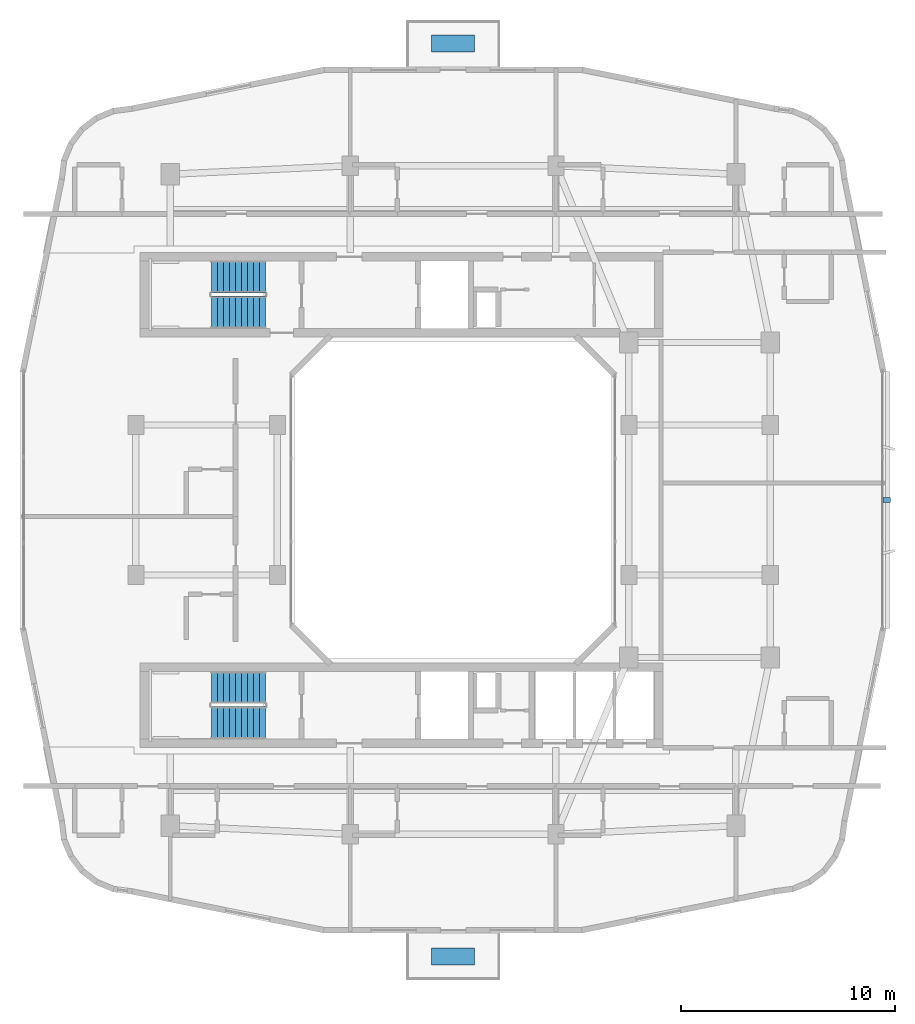
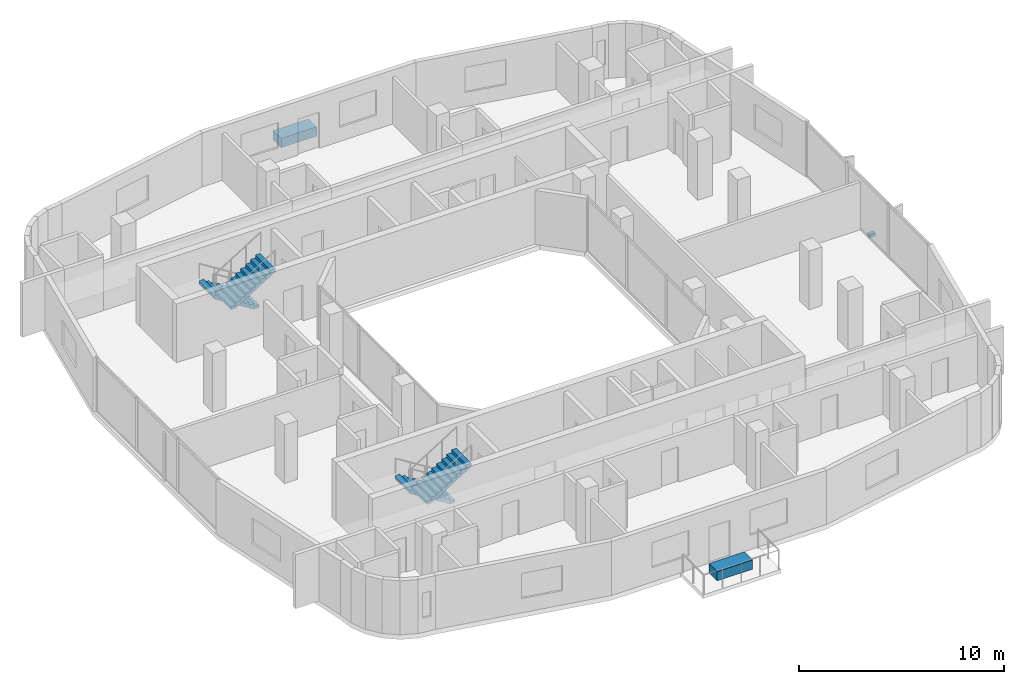
# One storey, part 9 of 13: 4 stair flights, 3 discrete accessories, 2 elements without a shape of their own.
"""IFC4 building model written with IfcOpenShell, lengths in metres."""

from ifc_helpers import new_model, si_unit, derived_unit, direction, frame, origin, origin_2d, place, context, subcontext, project, spatial, polyline, rectangle, outline, extrude, material, type_object, element, aggregate, save


model = new_model("IFC4")

# Units and contexts
model_context = context("Model", 3, precision=1e-05, world=origin(), true_north=direction((0.0, 1.0)))
body_context = subcontext(model_context, "Body", "Model", "MODEL_VIEW")
ifc_project = project(units=[si_unit("LENGTHUNIT", "METRE"), si_unit("AREAUNIT", "SQUARE_METRE"), si_unit("VOLUMEUNIT", "CUBIC_METRE"), si_unit("PLANEANGLEUNIT", "RADIAN"), si_unit("MASSUNIT", "GRAM", prefix="KILO"), derived_unit("THERMALTRANSMITTANCEUNIT", [(si_unit("POWERUNIT", "WATT"), 1), (si_unit("LENGTHUNIT", "METRE"), -2), (si_unit("THERMODYNAMICTEMPERATUREUNIT", "KELVIN"), -1)])], contexts=[model_context])

# Site, building, storey
site_placement = place(None, origin())
site = spatial("IfcSite", under=ifc_project, at=site_placement, CompositionType="ELEMENT")
building_placement = place(site_placement, origin())
building = spatial("IfcBuilding", under=site, at=building_placement, Name="Kivonza Crest Hotel", CompositionType="ELEMENT")
storey_placement = place(building_placement, frame((0.0, 0.0, 155.5)))
storey = spatial("IfcBuildingStorey", under=building, at=storey_placement, Name="L42", CompositionType="ELEMENT", Elevation=155.5)

# Stair, stair flights
ifc_material_1 = material(Name="Concrete C40/50", Category="concrete")
stair_type = type_object("IfcStairType", Name="ST-DL-20R", PredefinedType="HALF_TURN_STAIR", material=ifc_material_1)
stair_1_placement = place(storey_placement, origin())
stair_1 = element("IfcStair", 1, at=stair_1_placement, inside=storey, type_object=stair_type, Name="L42 Protected Exit Stair ST-T1-N", PredefinedType="HALF_TURN_STAIR")
stair_flight_type = type_object("IfcStairFlightType", Name="SFL-RC-10R", PredefinedType="STRAIGHT", material=ifc_material_1)
stair_flight_1_placement = place(storey_placement, frame((12.239990234375, 35.409912109375, 0.0), z_axis=(0.0, 0.0, 1.0), x_axis=(-1.0, 0.0, 0.0)))
stair_flight_1 = element("IfcStairFlight", 2, at=stair_flight_1_placement, type_object=stair_flight_type, Name="ST-T1-N flight 1", NumberOfRisers=10, NumberOfTreads=9, PredefinedType="STRAIGHT", RiserHeight=0.175, TreadLength=0.28, context=body_context, shape_type="SweptSolid", body=[
    extrude(outline(polyline([(0.0, 0.0), (0.0, 0.175048828125), (0.280029296875, 0.175048828125), (0.280029296875, 0.35009765625), (0.56005859375, 0.35009765625), (0.56005859375, 0.52490234375), (0.840087890625, 0.52490234375), (0.840087890625, 0.699951171875), (1.1201171875, 0.699951171875), (1.1201171875, 0.875), (1.39990234375, 0.875), (1.39990234375, 1.050048828125), (1.679931640625, 1.050048828125), (1.679931640625, 1.22509765625), (1.9599609375, 1.22509765625), (1.9599609375, 1.39990234375), (2.239990234375, 1.39990234375), (2.239990234375, 1.574951171875), (2.52001953125, 1.574951171875), (2.52001953125, 1.75), (2.52001953125, 1.398193359375), (0.28271484375, 0.0), (0.0, 0.0)])), frame((0.0, 0.75, 0.0), z_axis=(0.0, -1.0, 0.0), x_axis=(1.0, 0.0, 0.0)), (0.0, 0.0, 1.0), 1.5),
])
stair_flight_2_placement = place(storey_placement, frame((9.719970703125, 33.77001953125, 1.75), z_axis=(0.0, 0.0, 1.0), x_axis=(1.0, 0.0, 0.0)))
stair_flight_2 = element("IfcStairFlight", 3, at=stair_flight_2_placement, type_object=stair_flight_type, Name="ST-T1-N flight 2", NumberOfRisers=10, NumberOfTreads=9, PredefinedType="STRAIGHT", RiserHeight=0.175, TreadLength=0.28, context=body_context, shape_type="SweptSolid", body=[
    extrude(outline(polyline([(0.0, 0.0), (0.0, 0.175048828125), (0.280029296875, 0.175048828125), (0.280029296875, 0.35009765625), (0.56005859375, 0.35009765625), (0.56005859375, 0.52490234375), (0.840087890625, 0.52490234375), (0.840087890625, 0.699951171875), (1.1201171875, 0.699951171875), (1.1201171875, 0.875), (1.39990234375, 0.875), (1.39990234375, 1.050048828125), (1.679931640625, 1.050048828125), (1.679931640625, 1.22509765625), (1.9599609375, 1.22509765625), (1.9599609375, 1.39990234375), (2.239990234375, 1.39990234375), (2.239990234375, 1.574951171875), (2.52001953125, 1.574951171875), (2.52001953125, 1.75), (2.52001953125, 1.398193359375), (0.28271484375, 0.0), (0.0, 0.0)])), frame((0.0, 0.75, 0.0), z_axis=(0.0, -1.0, 0.0), x_axis=(1.0, 0.0, 0.0)), (0.0, 0.0, 1.0), 1.5),
])
aggregate(stair_1, [stair_flight_1, stair_flight_2])

stair_2_placement = place(storey_placement, origin())
stair_2 = element("IfcStair", 4, at=stair_2_placement, inside=storey, type_object=stair_type, Name="L42 Protected Exit Stair ST-T1-S", PredefinedType="HALF_TURN_STAIR")
stair_flight_3_placement = place(storey_placement, frame((12.239990234375, 16.25, 0.0), z_axis=(0.0, 0.0, 1.0), x_axis=(-1.0, 0.0, 0.0)))
stair_flight_3 = element("IfcStairFlight", 5, at=stair_flight_3_placement, type_object=stair_flight_type, Name="ST-T1-S flight 1", NumberOfRisers=10, NumberOfTreads=9, PredefinedType="STRAIGHT", RiserHeight=0.175, TreadLength=0.28, context=body_context, shape_type="SweptSolid", body=[
    extrude(outline(polyline([(0.0, 0.0), (0.0, 0.175048828125), (0.280029296875, 0.175048828125), (0.280029296875, 0.35009765625), (0.56005859375, 0.35009765625), (0.56005859375, 0.52490234375), (0.840087890625, 0.52490234375), (0.840087890625, 0.699951171875), (1.1201171875, 0.699951171875), (1.1201171875, 0.875), (1.39990234375, 0.875), (1.39990234375, 1.050048828125), (1.679931640625, 1.050048828125), (1.679931640625, 1.22509765625), (1.9599609375, 1.22509765625), (1.9599609375, 1.39990234375), (2.239990234375, 1.39990234375), (2.239990234375, 1.574951171875), (2.52001953125, 1.574951171875), (2.52001953125, 1.75), (2.52001953125, 1.398193359375), (0.28271484375, 0.0), (0.0, 0.0)])), frame((0.0, 0.75, 0.0), z_axis=(0.0, -1.0, 0.0), x_axis=(1.0, 0.0, 0.0)), (0.0, 0.0, 1.0), 1.5),
])
stair_flight_4_placement = place(storey_placement, frame((9.719970703125, 14.610107421875, 1.75), z_axis=(0.0, 0.0, 1.0), x_axis=(1.0, 0.0, 0.0)))
stair_flight_4 = element("IfcStairFlight", 6, at=stair_flight_4_placement, type_object=stair_flight_type, Name="ST-T1-S flight 2", NumberOfRisers=10, NumberOfTreads=9, PredefinedType="STRAIGHT", RiserHeight=0.175, TreadLength=0.28, context=body_context, shape_type="SweptSolid", body=[
    extrude(outline(polyline([(0.0, 0.0), (0.0, 0.175048828125), (0.280029296875, 0.175048828125), (0.280029296875, 0.35009765625), (0.56005859375, 0.35009765625), (0.56005859375, 0.52490234375), (0.840087890625, 0.52490234375), (0.840087890625, 0.699951171875), (1.1201171875, 0.699951171875), (1.1201171875, 0.875), (1.39990234375, 0.875), (1.39990234375, 1.050048828125), (1.679931640625, 1.050048828125), (1.679931640625, 1.22509765625), (1.9599609375, 1.22509765625), (1.9599609375, 1.39990234375), (2.239990234375, 1.39990234375), (2.239990234375, 1.574951171875), (2.52001953125, 1.574951171875), (2.52001953125, 1.75), (2.52001953125, 1.398193359375), (0.28271484375, 0.0), (0.0, 0.0)])), frame((0.0, 0.75, 0.0), z_axis=(0.0, -1.0, 0.0), x_axis=(1.0, 0.0, 0.0)), (0.0, 0.0, 1.0), 1.5),
])
aggregate(stair_2, [stair_flight_3, stair_flight_4])

# Discrete accessories
ifc_material_2 = material(Name="Stainless steel 316", Category="steel")
discrete_accessory_type_1 = type_object("IfcDiscreteAccessoryType", Name="AC-BRACKET-240", PredefinedType="BRACKET", material=ifc_material_2)
discrete_accessory_placement = place(storey_placement, frame((41.239990234375, 25.0, -0.009765625), z_axis=(0.0, 0.0, 1.0), x_axis=(0.0, 1.0, 0.0)))
element("IfcDiscreteAccessory", 7, at=discrete_accessory_placement, inside=storey, type_object=discrete_accessory_type_1, Name="L42 terracotta baguette support bracket CW-T1-L42-17", PredefinedType="BRACKET", context=body_context, shape_type="SweptSolid", body=[
    extrude(rectangle(XDim=0.219970703125, YDim=0.340087890625, at=origin_2d()), origin(), (0.0, 0.0, 1.0), 0.179931640625),
])
ifc_material_3 = material(Name="Precast GRC planter with engineered planting soil", Category="concrete")
discrete_accessory_type_2 = type_object("IfcDiscreteAccessoryType", Name="AC-PLANTER-1800", PredefinedType="USERDEFINED", material=ifc_material_3)
for number, where, z_axis, x_axis, name in (
    (8, (21.0, 3.699951171875, 0.0), (0.0, 0.0, 1.0), (1.0, 0.0, 0.0), "T1 L42 SW sky-garden planter"),
    (9, (21.0, 46.300048828125, 0.0), (0.0, 0.0, 1.0), (1.0, 0.0, 0.0), "T1 L42 NE sky-garden planter"),
):
    element("IfcDiscreteAccessory", number, at=place(storey_placement, frame(where, z_axis=z_axis, x_axis=x_axis)), inside=storey, type_object=discrete_accessory_type_2, Name=name, ObjectType="PLANTER", PredefinedType="USERDEFINED", context=body_context, shape_type="SweptSolid", body=[
        extrude(rectangle(XDim=2.0, YDim=0.800048828125, at=origin_2d()), origin(), (0.0, 0.0, 1.0), 0.550048828125),
    ])

save(model, "model.ifc")
